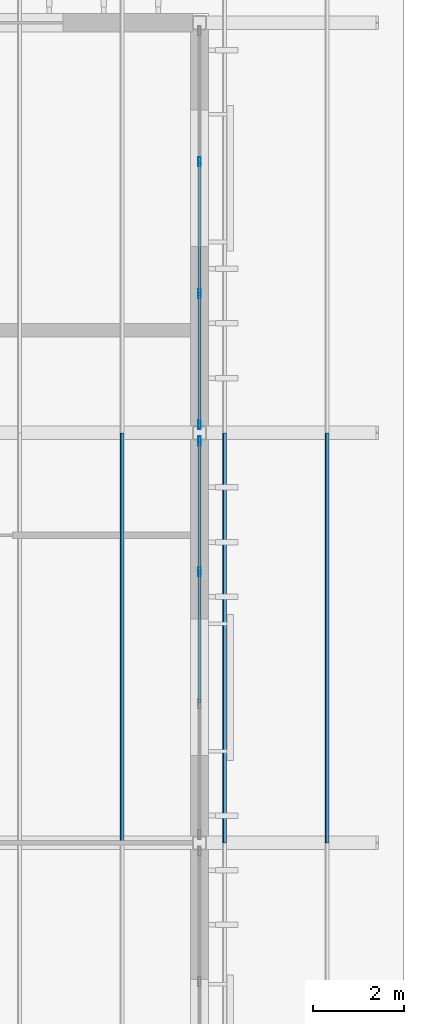
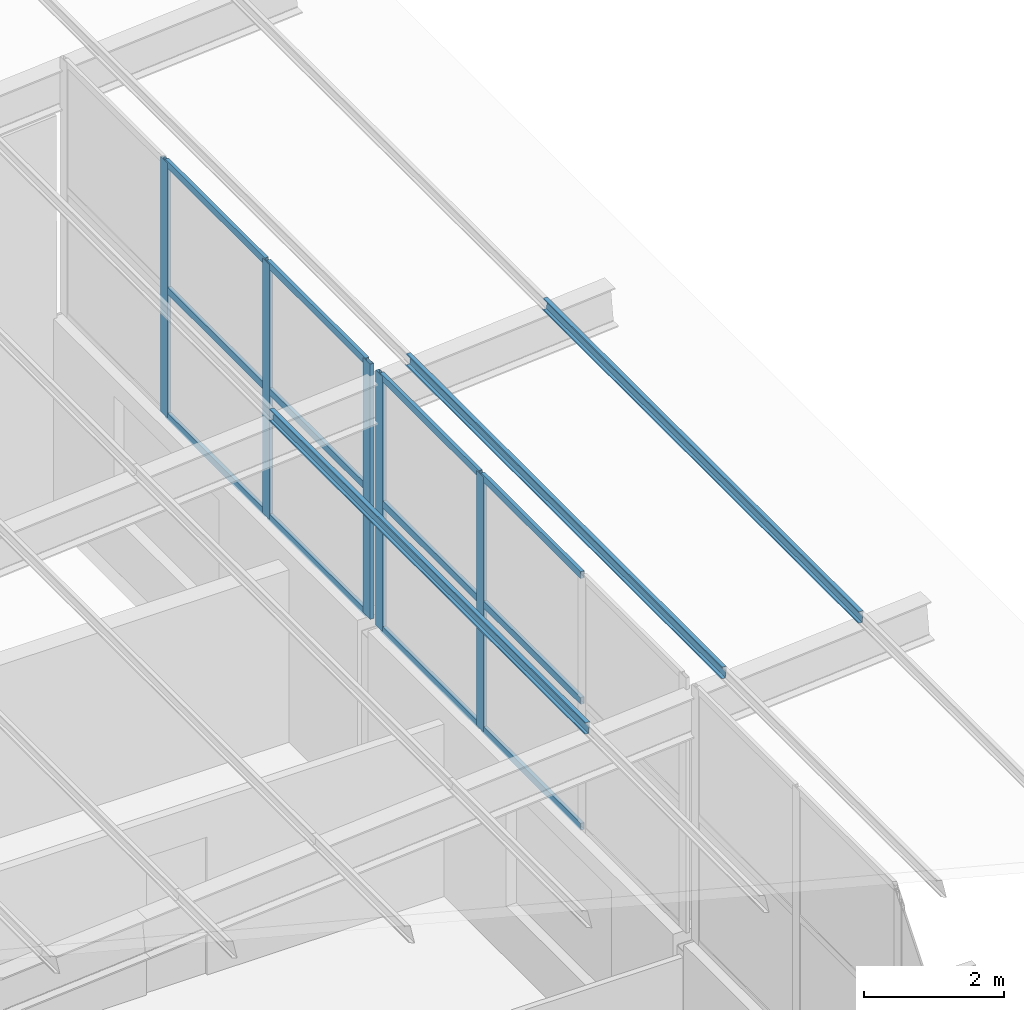
# One storey, part 61 of 85: 20 members, 2 elements without a shape of their own.
"""IFC4 building model written with IfcOpenShell, lengths in metres."""

from ifc_helpers import new_model, si_unit, direction, frame, origin, origin_2d, place, context, subcontext, project, spatial, polyline, hollow_rectangle, outline, extrude, material, layer, layer_set, material_profile, profile_set, type_object, element, aggregate, save


model = new_model("IFC4")

# Units and contexts
model_context = context("Model", 3, precision=1e-05, world=origin(), true_north=direction((0.0, 1.0)))
body_context = subcontext(model_context, "Body", "Model", "MODEL_VIEW")
ifc_project = project(units=[si_unit("LENGTHUNIT", "METRE"), si_unit("AREAUNIT", "SQUARE_METRE"), si_unit("VOLUMEUNIT", "CUBIC_METRE"), si_unit("PLANEANGLEUNIT", "RADIAN"), si_unit("MASSUNIT", "GRAM", prefix="KILO")], contexts=[model_context])

# Site, building, storey
site_placement = place(None, origin())
site = spatial("IfcSite", under=ifc_project, at=site_placement, CompositionType="ELEMENT")
building_placement = place(site_placement, origin())
building = spatial("IfcBuilding", under=site, at=building_placement, Name="Opaline Strait Convention Centre", CompositionType="ELEMENT")
storey_placement = place(building_placement, frame((0.0, 0.0, 17.0)))
storey = spatial("IfcBuildingStorey", under=building, at=storey_placement, Name="L03", CompositionType="ELEMENT", Elevation=17.0)

# Curtain wall, members
ifc_material_1 = material(Name="Aluminium framed double glazing", Category="aluminium")
ifc_layer = layer(ifc_material_1, 0.199951171875)
ifc_layer_set = layer_set([ifc_layer], Name="Aluminium framed double glazing")
curtain_wall_type = type_object("IfcCurtainWallType", Name="Curtain wall 3000 module unitised", PredefinedType="NOTDEFINED", material=ifc_layer_set)
curtain_wall_1_placement = place(storey_placement, origin())
curtain_wall_1 = element("IfcCurtainWall", 1, at=curtain_wall_1_placement, inside=storey, type_object=curtain_wall_type, Name="Clerestory curtain wall E L03 41/U", PredefinedType="NOTDEFINED")
ifc_material_2 = material(Name="Aluminium alloy 6063", Category="aluminium")
ifc_material_profile_1 = material_profile(ifc_material_2, hollow_rectangle(XDim=0.06005859375, YDim=0.199951171875, WallThickness=0.00390625, at=origin_2d()), Name="MULLION 60x200x4")
ifc_profile_set_1 = profile_set([ifc_material_profile_1], Name="Aluminium alloy 6063")
member_type_1 = type_object("IfcMemberType", Name="Curtain wall mullion 60 x 200", PredefinedType="MULLION", material=ifc_profile_set_1)
member_1_placement = place(storey_placement, frame((360.0, 167.949951171875, 3.300048828125), z_axis=(0.0, 0.0, 1.0), x_axis=(-1.0, 0.0, 0.0)))
member_1 = element("IfcMember", 2, at=member_1_placement, type_object=member_type_1, Name="MCWR1 mullion 3", PredefinedType="MULLION", context=body_context, shape_type="SweptSolid", body=[
    extrude(hollow_rectangle(XDim=0.06005859375, YDim=0.199951171875, WallThickness=0.00390625, at=origin_2d()), origin(), (0.0, 0.0, 1.0), 4.43603515625),
])
member_2_placement = place(storey_placement, frame((360.0, 170.820068359375, 3.300048828125), z_axis=(0.0, 0.0, 1.0), x_axis=(-1.0, 0.0, 0.0)))
member_2 = element("IfcMember", 3, at=member_2_placement, type_object=member_type_1, Name="MCWR1 mullion 4", PredefinedType="MULLION", context=body_context, shape_type="SweptSolid", body=[
    extrude(hollow_rectangle(XDim=0.06005859375, YDim=0.199951171875, WallThickness=0.00390625, at=origin_2d()), origin(), (0.0, 0.0, 1.0), 4.43603515625),
])

curtain_wall_2_placement = place(storey_placement, origin())
curtain_wall_2 = element("IfcCurtainWall", 4, at=curtain_wall_2_placement, inside=storey, type_object=curtain_wall_type, Name="Clerestory curtain wall E L03 41/V", PredefinedType="NOTDEFINED")
member_3_placement = place(storey_placement, frame((360.0, 171.179931640625, 3.300048828125), z_axis=(0.0, 0.0, 1.0), x_axis=(-1.0, 0.0, 0.0)))
member_3 = element("IfcMember", 5, at=member_3_placement, type_object=member_type_1, Name="MCWR1 mullion 1", PredefinedType="MULLION", context=body_context, shape_type="SweptSolid", body=[
    extrude(hollow_rectangle(XDim=0.06005859375, YDim=0.199951171875, WallThickness=0.00390625, at=origin_2d()), origin(), (0.0, 0.0, 1.0), 4.43603515625),
])
member_4_placement = place(storey_placement, frame((360.0, 174.050048828125, 3.300048828125), z_axis=(0.0, 0.0, 1.0), x_axis=(-1.0, 0.0, 0.0)))
member_4 = element("IfcMember", 6, at=member_4_placement, type_object=member_type_1, Name="MCWR1 mullion 2", PredefinedType="MULLION", context=body_context, shape_type="SweptSolid", body=[
    extrude(hollow_rectangle(XDim=0.06005859375, YDim=0.199951171875, WallThickness=0.00390625, at=origin_2d()), origin(), (0.0, 0.0, 1.0), 4.43603515625),
])
member_5_placement = place(storey_placement, frame((360.0, 176.949951171875, 3.300048828125), z_axis=(0.0, 0.0, 1.0), x_axis=(-1.0, 0.0, 0.0)))
member_5 = element("IfcMember", 7, at=member_5_placement, type_object=member_type_1, Name="MCWR1 mullion 3", PredefinedType="MULLION", context=body_context, shape_type="SweptSolid", body=[
    extrude(hollow_rectangle(XDim=0.06005859375, YDim=0.199951171875, WallThickness=0.00390625, at=origin_2d()), origin(), (0.0, 0.0, 1.0), 4.43603515625),
])

# Member
ifc_material_profile_2 = material_profile(ifc_material_2, hollow_rectangle(XDim=0.06005859375, YDim=0.1201171875, WallThickness=0.0029296875, at=origin_2d()), Name="TRANSOM 60x120x3")
ifc_profile_set_2 = profile_set([ifc_material_profile_2], Name="Aluminium alloy 6063")
member_type_2 = type_object("IfcMemberType", Name="Curtain wall transom 60 x 120", PredefinedType="USERDEFINED", material=ifc_profile_set_2)
member_6_placement = place(storey_placement, frame((360.0, 165.080078125, 3.330078125), z_axis=(0.0, 1.0, 0.0), x_axis=(-1.0, 0.0, 0.0)))
member_6 = element("IfcMember", 8, at=member_6_placement, type_object=member_type_2, Name="MCWR1 transom 2.1", ObjectType="TRANSOM", PredefinedType="USERDEFINED", context=body_context, shape_type="SweptSolid", body=[
    extrude(hollow_rectangle(XDim=0.06005859375, YDim=0.1201171875, WallThickness=0.0029296875, at=origin_2d()), origin(), (0.0, 0.0, 1.0), 2.83984375),
])

member_7_placement = place(storey_placement, frame((360.0, 165.080078125, 5.51806640625), z_axis=(0.0, 1.0, 0.0), x_axis=(-1.0, 0.0, 0.0)))
member_7 = element("IfcMember", 9, at=member_7_placement, type_object=member_type_2, Name="MCWR1 transom 2.2", ObjectType="TRANSOM", PredefinedType="USERDEFINED", context=body_context, shape_type="SweptSolid", body=[
    extrude(hollow_rectangle(XDim=0.06005859375, YDim=0.1201171875, WallThickness=0.0029296875, at=origin_2d()), origin(), (0.0, 0.0, 1.0), 2.83984375),
])

member_8_placement = place(storey_placement, frame((360.0, 165.080078125, 7.7060546875), z_axis=(0.0, 1.0, 0.0), x_axis=(-1.0, 0.0, 0.0)))
member_8 = element("IfcMember", 10, at=member_8_placement, type_object=member_type_2, Name="MCWR1 transom 2.3", ObjectType="TRANSOM", PredefinedType="USERDEFINED", context=body_context, shape_type="SweptSolid", body=[
    extrude(hollow_rectangle(XDim=0.06005859375, YDim=0.1201171875, WallThickness=0.0029296875, at=origin_2d()), origin(), (0.0, 0.0, 1.0), 2.83984375),
])

member_9_placement = place(storey_placement, frame((360.0, 167.97998046875, 3.330078125), z_axis=(0.0, 1.0, 0.0), x_axis=(-1.0, 0.0, 0.0)))
member_9 = element("IfcMember", 11, at=member_9_placement, type_object=member_type_2, Name="MCWR1 transom 3.1", ObjectType="TRANSOM", PredefinedType="USERDEFINED", context=body_context, shape_type="SweptSolid", body=[
    extrude(hollow_rectangle(XDim=0.06005859375, YDim=0.1201171875, WallThickness=0.0029296875, at=origin_2d()), origin(), (0.0, 0.0, 1.0), 2.81005859375),
])

member_10_placement = place(storey_placement, frame((360.0, 167.97998046875, 5.51806640625), z_axis=(0.0, 1.0, 0.0), x_axis=(-1.0, 0.0, 0.0)))
member_10 = element("IfcMember", 12, at=member_10_placement, type_object=member_type_2, Name="MCWR1 transom 3.2", ObjectType="TRANSOM", PredefinedType="USERDEFINED", context=body_context, shape_type="SweptSolid", body=[
    extrude(hollow_rectangle(XDim=0.06005859375, YDim=0.1201171875, WallThickness=0.0029296875, at=origin_2d()), origin(), (0.0, 0.0, 1.0), 2.81005859375),
])

member_11_placement = place(storey_placement, frame((360.0, 167.97998046875, 7.7060546875), z_axis=(0.0, 1.0, 0.0), x_axis=(-1.0, 0.0, 0.0)))
member_11 = element("IfcMember", 13, at=member_11_placement, type_object=member_type_2, Name="MCWR1 transom 3.3", ObjectType="TRANSOM", PredefinedType="USERDEFINED", context=body_context, shape_type="SweptSolid", body=[
    extrude(hollow_rectangle(XDim=0.06005859375, YDim=0.1201171875, WallThickness=0.0029296875, at=origin_2d()), origin(), (0.0, 0.0, 1.0), 2.81005859375),
])

aggregate(curtain_wall_1, [member_1, member_2, member_6, member_7, member_8, member_9, member_10, member_11])

member_12_placement = place(storey_placement, frame((360.0, 171.2099609375, 3.330078125), z_axis=(0.0, 1.0, 0.0), x_axis=(-1.0, 0.0, 0.0)))
member_12 = element("IfcMember", 14, at=member_12_placement, type_object=member_type_2, Name="MCWR1 transom 1.1", ObjectType="TRANSOM", PredefinedType="USERDEFINED", context=body_context, shape_type="SweptSolid", body=[
    extrude(hollow_rectangle(XDim=0.06005859375, YDim=0.1201171875, WallThickness=0.0029296875, at=origin_2d()), origin(), (0.0, 0.0, 1.0), 2.81005859375),
])

member_13_placement = place(storey_placement, frame((360.0, 171.2099609375, 5.51806640625), z_axis=(0.0, 1.0, 0.0), x_axis=(-1.0, 0.0, 0.0)))
member_13 = element("IfcMember", 15, at=member_13_placement, type_object=member_type_2, Name="MCWR1 transom 1.2", ObjectType="TRANSOM", PredefinedType="USERDEFINED", context=body_context, shape_type="SweptSolid", body=[
    extrude(hollow_rectangle(XDim=0.06005859375, YDim=0.1201171875, WallThickness=0.0029296875, at=origin_2d()), origin(), (0.0, 0.0, 1.0), 2.81005859375),
])

member_14_placement = place(storey_placement, frame((360.0, 171.2099609375, 7.7060546875), z_axis=(0.0, 1.0, 0.0), x_axis=(-1.0, 0.0, 0.0)))
member_14 = element("IfcMember", 16, at=member_14_placement, type_object=member_type_2, Name="MCWR1 transom 1.3", ObjectType="TRANSOM", PredefinedType="USERDEFINED", context=body_context, shape_type="SweptSolid", body=[
    extrude(hollow_rectangle(XDim=0.06005859375, YDim=0.1201171875, WallThickness=0.0029296875, at=origin_2d()), origin(), (0.0, 0.0, 1.0), 2.81005859375),
])

member_15_placement = place(storey_placement, frame((360.0, 174.080078125, 3.330078125), z_axis=(0.0, 1.0, 0.0), x_axis=(-1.0, 0.0, 0.0)))
member_15 = element("IfcMember", 17, at=member_15_placement, type_object=member_type_2, Name="MCWR1 transom 2.1", ObjectType="TRANSOM", PredefinedType="USERDEFINED", context=body_context, shape_type="SweptSolid", body=[
    extrude(hollow_rectangle(XDim=0.06005859375, YDim=0.1201171875, WallThickness=0.0029296875, at=origin_2d()), origin(), (0.0, 0.0, 1.0), 2.83984375),
])

member_16_placement = place(storey_placement, frame((360.0, 174.080078125, 5.51806640625), z_axis=(0.0, 1.0, 0.0), x_axis=(-1.0, 0.0, 0.0)))
member_16 = element("IfcMember", 18, at=member_16_placement, type_object=member_type_2, Name="MCWR1 transom 2.2", ObjectType="TRANSOM", PredefinedType="USERDEFINED", context=body_context, shape_type="SweptSolid", body=[
    extrude(hollow_rectangle(XDim=0.06005859375, YDim=0.1201171875, WallThickness=0.0029296875, at=origin_2d()), origin(), (0.0, 0.0, 1.0), 2.83984375),
])

member_17_placement = place(storey_placement, frame((360.0, 174.080078125, 7.7060546875), z_axis=(0.0, 1.0, 0.0), x_axis=(-1.0, 0.0, 0.0)))
member_17 = element("IfcMember", 19, at=member_17_placement, type_object=member_type_2, Name="MCWR1 transom 2.3", ObjectType="TRANSOM", PredefinedType="USERDEFINED", context=body_context, shape_type="SweptSolid", body=[
    extrude(hollow_rectangle(XDim=0.06005859375, YDim=0.1201171875, WallThickness=0.0029296875, at=origin_2d()), origin(), (0.0, 0.0, 1.0), 2.83984375),
])

aggregate(curtain_wall_2, [member_3, member_4, member_5, member_12, member_13, member_14, member_15, member_16, member_17])

# Members
ifc_material_3 = material(Name="Steel Q355B", Category="steel")
ifc_material_profile_3 = material_profile(ifc_material_3, outline(polyline([(-0.034912109375, -0.10009765625), (0.034912109375, -0.10009765625), (0.034912109375, -0.080078125), (0.032470703125, -0.080078125), (0.032470703125, -0.097412109375), (-0.032470703125, -0.097412109375), (-0.032470703125, 0.097412109375), (0.032470703125, 0.097412109375), (0.032470703125, 0.080078125), (0.034912109375, 0.080078125), (0.034912109375, 0.10009765625), (-0.034912109375, 0.10009765625), (-0.034912109375, -0.10009765625)])), Name="C 200x70x20x2.5")
ifc_profile_set_3 = profile_set([ifc_material_profile_3], Name="Steel Q355B")
member_type_3 = type_object("IfcMemberType", Name="Roof purlin C 200x70x20x2.5", PredefinedType="PURLIN", material=ifc_profile_set_3)
for number, where, z_axis, x_axis, name in (
    (20, (358.300048828125, 162.0, 7.501953125), (0.0, 1.0, 0.0), (-0.996917333733, 0.0, 0.078459095728), "MRP1 purlin E wing 379"),
    (21, (360.550048828125, 162.0, 7.678955078125), (0.0, 1.0, 0.0), (-0.996917333733, 0.0, 0.078459095728), "MRP1 purlin E wing 389"),
    (22, (362.800048828125, 162.0, 7.856201171875), (0.0, 1.0, 0.0), (-0.996917333733, 0.0, 0.078459095728), "MRP1 purlin E wing 399"),
):
    element("IfcMember", number, at=place(storey_placement, frame(where, z_axis=z_axis, x_axis=x_axis)), inside=storey, type_object=member_type_3, Name=name, PredefinedType="PURLIN", context=body_context, shape_type="SweptSolid", body=[
        extrude(outline(polyline([(-0.034912109375, -0.10009765625), (0.034912109375, -0.10009765625), (0.034912109375, -0.080078125), (0.032470703125, -0.080078125), (0.032470703125, -0.097412109375), (-0.032470703125, -0.097412109375), (-0.032470703125, 0.097412109375), (0.032470703125, 0.097412109375), (0.032470703125, 0.080078125), (0.034912109375, 0.080078125), (0.034912109375, 0.10009765625), (-0.034912109375, 0.10009765625), (-0.034912109375, -0.10009765625)])), origin(), (0.0, 0.0, 1.0), 9.0),
    ])

save(model, "model.ifc")
